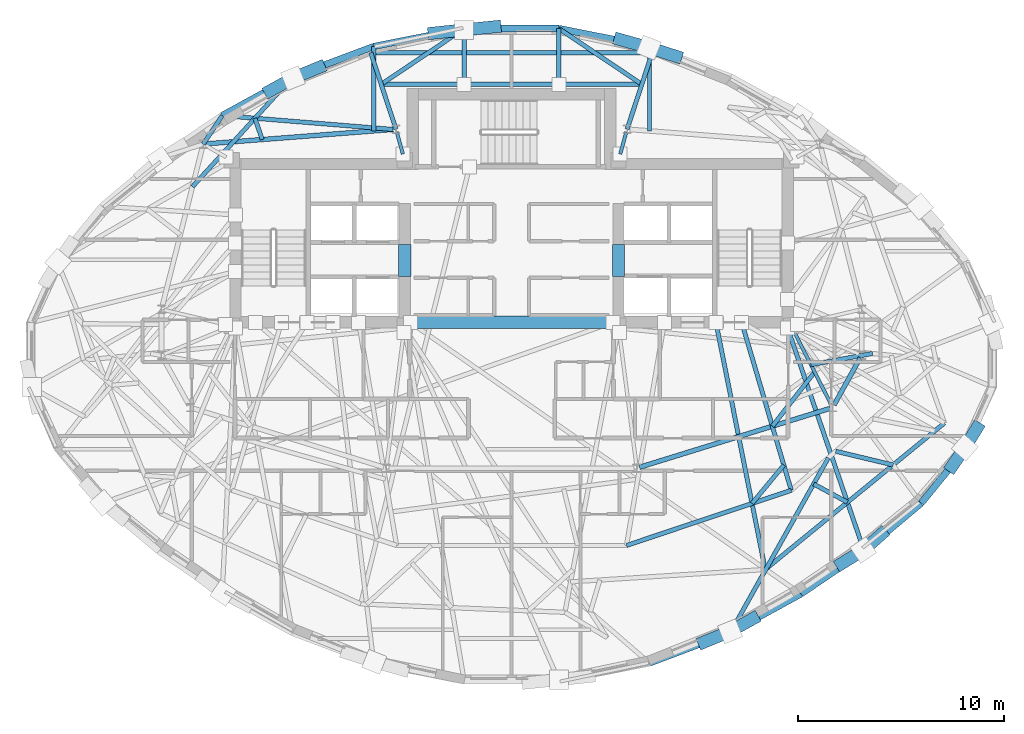
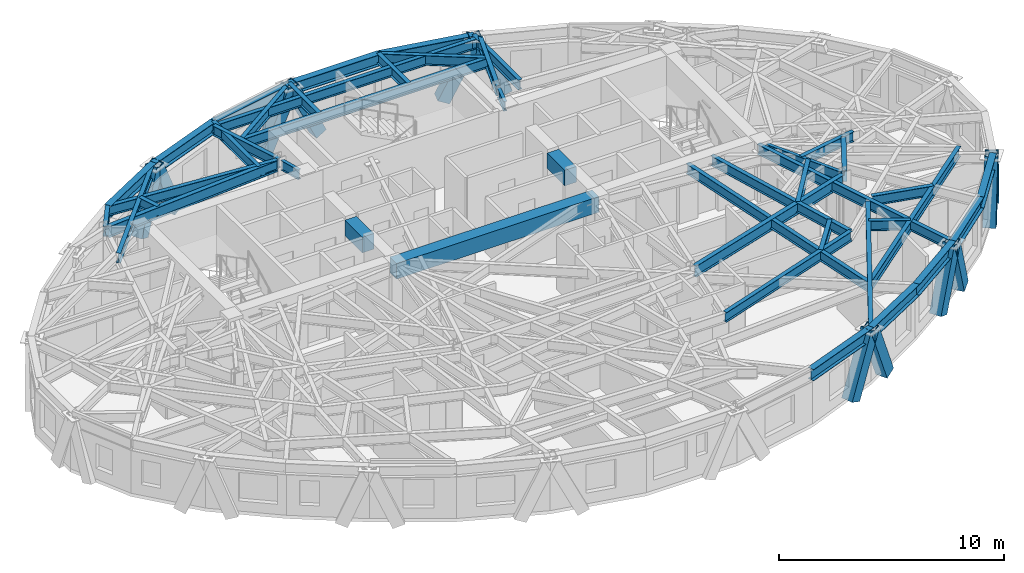
# One storey, part 3 of 14: 44 beams, 12 members.
"""IFC4 building model written with IfcOpenShell, lengths in metres."""

from ifc_helpers import new_model, si_unit, direction, frame, origin, origin_2d, place, context, subcontext, project, spatial, rectangle, hollow_rectangle, i_section, extrude, material, material_profile, profile_set, type_object, element, save


model = new_model("IFC4")

# Units and contexts
model_context = context("Model", 3, precision=1e-05, world=origin(), true_north=direction((0.0, 1.0)))
body_context = subcontext(model_context, "Body", "Model", "MODEL_VIEW")
ifc_project = project(units=[si_unit("LENGTHUNIT", "METRE"), si_unit("AREAUNIT", "SQUARE_METRE"), si_unit("VOLUMEUNIT", "CUBIC_METRE"), si_unit("PLANEANGLEUNIT", "RADIAN"), si_unit("MASSUNIT", "GRAM", prefix="KILO")], contexts=[model_context])

# Site, building, storey
site_placement = place(None, origin())
site = spatial("IfcSite", under=ifc_project, at=site_placement, CompositionType="ELEMENT")
building_placement = place(site_placement, origin())
building = spatial("IfcBuilding", under=site, at=building_placement, Name="Keldmark Tower", CompositionType="ELEMENT")
storey_placement = place(building_placement, frame((0.0, 0.0, 213.14990234375)))
storey = spatial("IfcBuildingStorey", under=building, at=storey_placement, Name="L59", CompositionType="ELEMENT", Elevation=213.14990234375)

# Beams
ifc_material_1 = material(Name="Concrete C50/60", Category="concrete")
ifc_material_profile_1 = material_profile(ifc_material_1, rectangle(XDim=0.60009765625, YDim=0.85009765625, at=origin_2d()), Name="RCB600X850")
ifc_profile_set_1 = profile_set([ifc_material_profile_1], Name="Concrete C50/60")
beam_type_1 = type_object("IfcBeamType", Name="Core Coupling Beam RCB600X850", PredefinedType="USERDEFINED", material=ifc_profile_set_1)
for number, where, z_axis, x_axis, name in (
    (1, (-5.199951171875, 3.800048828125, 2.545166015625), (0.0, 1.0, 0.0), (-1.0, 0.0, 0.0), "L59 West Core Coupling Beam"),
    (2, (5.199951171875, 3.800048828125, 2.545166015625), (0.0, 1.0, 0.0), (-1.0, 0.0, 0.0), "L59 East Core Coupling Beam"),
):
    element("IfcBeam", number, at=place(storey_placement, frame(where, z_axis=z_axis, x_axis=x_axis)), inside=storey, type_object=beam_type_1, Name=name, ObjectType="COUPLING BEAM", PredefinedType="USERDEFINED", context=body_context, shape_type="SweptSolid", body=[
        extrude(rectangle(XDim=0.60009765625, YDim=0.85009765625, at=origin_2d()), origin(), (0.0, 0.0, 1.0), 1.550048828125),
    ])
beam_1_placement = place(storey_placement, frame((-5.199951171875, 1.574951171875, 2.545166015625), z_axis=(1.0, 0.0, 0.0), x_axis=(0.0, 1.0, 0.0)))
element("IfcBeam", 3, at=beam_1_placement, inside=storey, type_object=beam_type_1, Name="L59 Central South Core Coupling Beam", ObjectType="COUPLING BEAM", PredefinedType="USERDEFINED", context=body_context, shape_type="SweptSolid", body=[
    extrude(rectangle(XDim=0.60009765625, YDim=0.85009765625, at=origin_2d()), origin(), (0.0, 0.0, 1.0), 10.39990234375),
])

# Members
ifc_material_2 = material(Name="Steel ASTM A572 Grade 50", Category="steel")
ifc_material_profile_2 = material_profile(ifc_material_2, hollow_rectangle(XDim=0.60009765625, YDim=0.60009765625, WallThickness=0.034912109375, at=origin_2d()), Name="BOX600X600X35")
ifc_profile_set_2 = profile_set([ifc_material_profile_2], Name="Steel ASTM A572 Grade 50")
member_type = type_object("IfcMemberType", Name="Diagrid Zone 4 Brace BOX600X600X35", PredefinedType="BRACE", material=ifc_profile_set_2)
member_1_placement = place(storey_placement, frame((8.02001953125, 14.50732421875, -0.260009765625), z_axis=(-0.393530898257, 0.125815509706, 0.910661237582), x_axis=(-0.304524591203, -0.95250447419, 0.0)))
element("IfcMember", 4, at=member_1_placement, inside=storey, type_object=member_type, Name="L59 Perimeter Diagrid Brace 03B", PredefinedType="BRACE", context=body_context, shape_type="SweptSolid", body=[
    extrude(hollow_rectangle(XDim=0.60009765625, YDim=0.60009765625, WallThickness=0.034912109375, at=origin_2d()), origin(), (0.0, 0.0, 1.0), 3.415283203125),
])
member_2_placement = place(storey_placement, frame((5.25390625, 15.3330078125, -0.260009765625), z_axis=(0.4156658621, -0.116131518542, 0.902072813849), x_axis=(0.269082155507, 0.963117227334, 0.0)))
element("IfcMember", 5, at=member_2_placement, inside=storey, type_object=member_type, Name="L59 Perimeter Diagrid Brace 04A", PredefinedType="BRACE", context=body_context, shape_type="SweptSolid", body=[
    extrude(hollow_rectangle(XDim=0.60009765625, YDim=0.60009765625, WallThickness=0.034912109375, at=origin_2d()), origin(), (0.0, 0.0, 1.0), 3.44775390625),
])
member_3_placement = place(storey_placement, frame((-0.781005859375, 15.952880859375, -0.260009765625), z_axis=(-0.440546308577, -0.044061669463, 0.896647934968), x_axis=(0.099519459283, -0.995035616058, 0.0)))
element("IfcMember", 6, at=member_3_placement, inside=storey, type_object=member_type, Name="L59 Perimeter Diagrid Brace 04B", PredefinedType="BRACE", context=body_context, shape_type="SweptSolid", body=[
    extrude(hollow_rectangle(XDim=0.60009765625, YDim=0.60009765625, WallThickness=0.034912109375, at=origin_2d()), origin(), (0.0, 0.0, 1.0), 3.468505859375),
])
member_4_placement = place(storey_placement, frame((-3.79248046875, 15.641845703125, -0.260009765625), z_axis=(0.43286743353, 0.045795607662, 0.900293589508), x_axis=(-0.105208767654, 0.994450157227, 0.0)))
element("IfcMember", 7, at=member_4_placement, inside=storey, type_object=member_type, Name="L59 Perimeter Diagrid Brace 05A", PredefinedType="BRACE", context=body_context, shape_type="SweptSolid", body=[
    extrude(hollow_rectangle(XDim=0.60009765625, YDim=0.60009765625, WallThickness=0.034912109375, at=origin_2d()), origin(), (0.0, 0.0, 1.0), 3.45458984375),
])
member_5_placement = place(storey_placement, frame((-9.335205078125, 13.98388671875, -0.260009765625), z_axis=(-0.379284461719, -0.156281234415, 0.911986553008), x_axis=(0.380969230794, -0.92458771633, 0.0)))
element("IfcMember", 8, at=member_5_placement, inside=storey, type_object=member_type, Name="L59 Perimeter Diagrid Brace 05B", PredefinedType="BRACE", context=body_context, shape_type="SweptSolid", body=[
    extrude(hollow_rectangle(XDim=0.60009765625, YDim=0.60009765625, WallThickness=0.034912109375, at=origin_2d()), origin(), (0.0, 0.0, 1.0), 3.41015625),
])
member_6_placement = place(storey_placement, frame((-11.753173828125, 12.827392578125, -0.260009765625), z_axis=(0.336945616643, 0.186403154509, 0.922887596305), x_axis=(-0.484076709951, 0.875025564703, 0.0)))
element("IfcMember", 9, at=member_6_placement, inside=storey, type_object=member_type, Name="L59 Perimeter Diagrid Brace 06A", PredefinedType="BRACE", context=body_context, shape_type="SweptSolid", body=[
    extrude(hollow_rectangle(XDim=0.60009765625, YDim=0.60009765625, WallThickness=0.034912109375, at=origin_2d()), origin(), (0.0, 0.0, 1.0), 3.369873046875),
])
member_7_placement = place(storey_placement, frame((9.335205078125, -13.98388671875, -0.260009765625), z_axis=(0.379284461719, 0.156281234415, 0.911986553008), x_axis=(-0.380969230794, 0.92458771633, 0.0)))
element("IfcMember", 10, at=member_7_placement, inside=storey, type_object=member_type, Name="L59 Perimeter Diagrid Brace 13B", PredefinedType="BRACE", context=body_context, shape_type="SweptSolid", body=[
    extrude(hollow_rectangle(XDim=0.60009765625, YDim=0.60009765625, WallThickness=0.034912109375, at=origin_2d()), origin(), (0.0, 0.0, 1.0), 3.41015625),
])
member_8_placement = place(storey_placement, frame((11.753173828125, -12.827392578125, -0.260009765625), z_axis=(-0.336945616643, -0.186403154509, 0.922887596305), x_axis=(0.484076709951, -0.875025564703, 0.0)))
element("IfcMember", 11, at=member_8_placement, inside=storey, type_object=member_type, Name="L59 Perimeter Diagrid Brace 14A", PredefinedType="BRACE", context=body_context, shape_type="SweptSolid", body=[
    extrude(hollow_rectangle(XDim=0.60009765625, YDim=0.60009765625, WallThickness=0.034912109375, at=origin_2d()), origin(), (0.0, 0.0, 1.0), 3.369873046875),
])
member_9_placement = place(storey_placement, frame((16.036376953125, -10.162841796875, -0.260009765625), z_axis=(0.319678320867, 0.198062358981, 0.926594341189), x_axis=(-0.526674190913, 0.850067230651, 0.0)))
element("IfcMember", 12, at=member_9_placement, inside=storey, type_object=member_type, Name="L59 Perimeter Diagrid Brace 14B", PredefinedType="BRACE", context=body_context, shape_type="SweptSolid", body=[
    extrude(hollow_rectangle(XDim=0.60009765625, YDim=0.60009765625, WallThickness=0.034912109375, at=origin_2d()), origin(), (0.0, 0.0, 1.0), 3.3564453125),
])
member_10_placement = place(storey_placement, frame((17.9970703125, -8.71533203125, -0.260009765625), z_axis=(-0.268917788638, -0.23740970986, 0.933445152442), x_axis=(0.66182429005, -0.749658995211, 0.0)))
element("IfcMember", 13, at=member_10_placement, inside=storey, type_object=member_type, Name="L59 Perimeter Diagrid Brace 15A", PredefinedType="BRACE", context=body_context, shape_type="SweptSolid", body=[
    extrude(hollow_rectangle(XDim=0.60009765625, YDim=0.60009765625, WallThickness=0.034912109375, at=origin_2d()), origin(), (0.0, 0.0, 1.0), 3.331787109375),
])
member_11_placement = place(storey_placement, frame((21.414794921875, -5.430419921875, -0.260009765625), z_axis=(0.19192067154, 0.276052306444, 0.941786377021), x_axis=(-0.821066514519, 0.570832531251, 0.0)))
element("IfcMember", 14, at=member_11_placement, inside=storey, type_object=member_type, Name="L59 Perimeter Diagrid Brace 15B", PredefinedType="BRACE", context=body_context, shape_type="SweptSolid", body=[
    extrude(hollow_rectangle(XDim=0.60009765625, YDim=0.60009765625, WallThickness=0.034912109375, at=origin_2d()), origin(), (0.0, 0.0, 1.0), 3.30224609375),
])
member_12_placement = place(storey_placement, frame((22.634033203125, -3.557861328125, -0.260009765625), z_axis=(-0.178125596536, -0.293509105881, 0.939214393322), x_axis=(0.854886164817, -0.518815617734, 0.0)))
element("IfcMember", 15, at=member_12_placement, inside=storey, type_object=member_type, Name="L59 Perimeter Diagrid Brace 16A", PredefinedType="BRACE", context=body_context, shape_type="SweptSolid", body=[
    extrude(hollow_rectangle(XDim=0.60009765625, YDim=0.60009765625, WallThickness=0.034912109375, at=origin_2d()), origin(), (0.0, 0.0, 1.0), 3.311279296875),
])

# Beams
ifc_material_3 = material(Name="Steel ASTM A992 Grade 50", Category="steel")
ifc_material_profile_3 = material_profile(ifc_material_3, i_section(OverallWidth=0.22802734375, OverallDepth=0.60302734375, WebThickness=0.010498046875, FlangeThickness=0.014892578125, at=origin_2d()), Name="W24X68")
ifc_profile_set_3 = profile_set([ifc_material_profile_3], Name="Steel ASTM A992 Grade 50")
beam_type_2 = type_object("IfcBeamType", Name="Primary Floor Girder W24X68", PredefinedType="BEAM", material=ifc_profile_set_3)
beam_2_placement = place(storey_placement, frame((-5.75830078125, 10.956298828125, 2.668701171875), z_axis=(-0.997037147832, -0.076921556421, 0.0), x_axis=(0.076921556421, -0.997037147832, 0.0)))
element("IfcBeam", 16, at=beam_2_placement, inside=storey, type_object=beam_type_2, Name="L59 Floor Ring Girder FG-R04", PredefinedType="BEAM", context=body_context, shape_type="SweptSolid", body=[
    extrude(i_section(OverallWidth=0.22802734375, OverallDepth=0.60302734375, WebThickness=0.010498046875, FlangeThickness=0.014892578125, at=origin_2d()), origin(), (0.0, 0.0, 1.0), 9.125),
])
beam_3_placement = place(storey_placement, frame((6.223388671875, -5.471435546875, 2.668701171875), z_axis=(0.955383255089, 0.295368982622, 0.0), x_axis=(-0.295368982622, 0.955383255089, 0.0)))
element("IfcBeam", 17, at=beam_3_placement, inside=storey, type_object=beam_type_2, Name="L59 Floor Ring Girder FG-R10", PredefinedType="BEAM", context=body_context, shape_type="SweptSolid", body=[
    extrude(i_section(OverallWidth=0.22802734375, OverallDepth=0.60302734375, WebThickness=0.010498046875, FlangeThickness=0.014892578125, at=origin_2d()), origin(), (0.0, 0.0, 1.0), 9.69140625),
])
beam_4_placement = place(storey_placement, frame((15.68408203125, -2.44482421875, 2.668701171875), z_axis=(0.484719680408, 0.874669555561, 0.0), x_axis=(-0.874669555561, 0.484719680408, 0.0)))
element("IfcBeam", 18, at=beam_4_placement, inside=storey, type_object=beam_type_2, Name="L59 Floor Ring Girder FG-R11", PredefinedType="BEAM", context=body_context, shape_type="SweptSolid", body=[
    extrude(i_section(OverallWidth=0.22802734375, OverallDepth=0.60302734375, WebThickness=0.010498046875, FlangeThickness=0.014892578125, at=origin_2d()), origin(), (0.0, 0.0, 1.0), 2.627685546875),
])
ifc_material_4 = material(Name="Steel ASTM A992 Grade 50", Category="steel")
ifc_material_profile_4 = material_profile(ifc_material_4, i_section(OverallWidth=0.166015625, OverallDepth=0.529052734375, WebThickness=0.009765625, FlangeThickness=0.013671875, at=origin_2d()), Name="W21X50")
ifc_profile_set_4 = profile_set([ifc_material_profile_4], Name="Steel ASTM A992 Grade 50")
beam_type_3 = type_object("IfcBeamType", Name="Radial Tie Girder W21X50", PredefinedType="BEAM", material=ifc_profile_set_4)
for number, where, z_axis, x_axis, name in (
    (19, (5.581298828125, 10.83203125, 2.70556640625), (-0.265936023434, -0.963990680163, 0.0), (0.963990680163, -0.265936023434, 0.0), "L59 Floor Radial Girder FG-C03"),
    (20, (-5.581298828125, 10.83203125, 2.70556640625), (0.265936023434, -0.963990680163, 0.0), (0.963990680163, 0.265936023434, 0.0), "L59 Floor Radial Girder FG-C04"),
):
    element("IfcBeam", number, at=place(storey_placement, frame(where, z_axis=z_axis, x_axis=x_axis)), inside=storey, type_object=beam_type_3, Name=name, PredefinedType="BEAM", context=body_context, shape_type="SweptSolid", body=[
        extrude(i_section(OverallWidth=0.166015625, OverallDepth=0.529052734375, WebThickness=0.009765625, FlangeThickness=0.013671875, at=origin_2d()), origin(), (0.0, 0.0, 1.0), 1.113525390625),
    ])
beam_5_placement = place(storey_placement, frame((15.552734375, -2.442626953125, 2.70556640625), z_axis=(-0.453004410574, 0.89150827478, 0.0), x_axis=(-0.89150827478, -0.453004410574, 0.0)))
element("IfcBeam", 21, at=beam_5_placement, inside=storey, type_object=beam_type_3, Name="L59 Floor Radial Girder FG-C11", PredefinedType="BEAM", context=body_context, shape_type="SweptSolid", body=[
    extrude(i_section(OverallWidth=0.166015625, OverallDepth=0.529052734375, WebThickness=0.009765625, FlangeThickness=0.013671875, at=origin_2d()), origin(), (0.0, 0.0, 1.0), 3.990234375),
])
ifc_material_5 = material(Name="Steel ASTM A992 Grade 50", Category="steel")
ifc_material_profile_5 = material_profile(ifc_material_5, i_section(OverallWidth=0.2099609375, OverallDepth=0.537109375, WebThickness=0.010986328125, FlangeThickness=0.017333984375, at=origin_2d()), Name="W21X68")
ifc_profile_set_5 = profile_set([ifc_material_profile_5], Name="Steel ASTM A992 Grade 50")
beam_type_4 = type_object("IfcBeamType", Name="Radial Tie Girder W21X68", PredefinedType="BEAM", material=ifc_profile_set_5)
beam_6_placement = place(storey_placement, frame((14.7392578125, -0.841796875, 2.70166015625), z_axis=(-0.615598661566, -0.788059825063, 0.0), x_axis=(0.788059825063, -0.615598661566, 0.0)))
element("IfcBeam", 22, at=beam_6_placement, inside=storey, type_object=beam_type_4, Name="L59 Framing Pin Header PH-005", PredefinedType="BEAM", context=body_context, shape_type="SweptSolid", body=[
    extrude(i_section(OverallWidth=0.2099609375, OverallDepth=0.537109375, WebThickness=0.010986328125, FlangeThickness=0.017333984375, at=origin_2d()), origin(), (0.0, 0.0, 1.0), 3.3408203125),
])
beam_7_placement = place(storey_placement, frame((11.19287109375, 1.574951171875, 2.70166015625), z_axis=(0.282943960261, -0.959136442511, 0.0), x_axis=(0.959136442511, 0.282943960261, 0.0)))
element("IfcBeam", 23, at=beam_7_placement, inside=storey, type_object=beam_type_4, Name="L59 Sub-Ring Step Girder STP1-M11", PredefinedType="BEAM", context=body_context, shape_type="SweptSolid", body=[
    extrude(i_section(OverallWidth=0.2099609375, OverallDepth=0.537109375, WebThickness=0.010986328125, FlangeThickness=0.017333984375, at=origin_2d()), origin(), (0.0, 0.0, 1.0), 8.5146484375),
])
beam_8_placement = place(storey_placement, frame((14.55859375, -0.486083984375, 2.70166015625), z_axis=(0.983785097233, 0.1793512823, 0.0), x_axis=(-0.1793512823, 0.983785097233, 0.0)))
element("IfcBeam", 24, at=beam_8_placement, inside=storey, type_object=beam_type_4, Name="L59 Framing Pin Header PH-006", PredefinedType="BEAM", context=body_context, shape_type="SweptSolid", body=[
    extrude(i_section(OverallWidth=0.2099609375, OverallDepth=0.537109375, WebThickness=0.010986328125, FlangeThickness=0.017333984375, at=origin_2d()), origin(), (0.0, 0.0, 1.0), 3.043701171875),
])
beam_9_placement = place(storey_placement, frame((5.590087890625, -9.2744140625, 2.70166015625), z_axis=(0.948257681045, 0.317501764309, 0.0), x_axis=(-0.317501764309, 0.948257681045, 0.0)))
element("IfcBeam", 25, at=beam_9_placement, inside=storey, type_object=beam_type_4, Name="L59 Perimeter Collector Ring Beam CRG1-M10", PredefinedType="BEAM", context=body_context, shape_type="SweptSolid", body=[
    extrude(i_section(OverallWidth=0.2099609375, OverallDepth=0.537109375, WebThickness=0.010986328125, FlangeThickness=0.017333984375, at=origin_2d()), origin(), (0.0, 0.0, 1.0), 8.44921875),
])
beam_10_placement = place(storey_placement, frame((13.24072265625, -5.366943359375, 2.70166015625), z_axis=(-0.638536901279, -0.769591206878, 0.0), x_axis=(0.769591206878, -0.638536901279, 0.0)))
element("IfcBeam", 26, at=beam_10_placement, inside=storey, type_object=beam_type_4, Name="L59 Framing Pin Header PH-011", PredefinedType="BEAM", context=body_context, shape_type="SweptSolid", body=[
    extrude(i_section(OverallWidth=0.2099609375, OverallDepth=0.537109375, WebThickness=0.010986328125, FlangeThickness=0.017333984375, at=origin_2d()), origin(), (0.0, 0.0, 1.0), 2.421875),
])
beam_11_placement = place(storey_placement, frame((9.939208984375, 1.574951171875, 2.70166015625), z_axis=(0.195472466282, -0.980709189783, 0.0), x_axis=(0.980709189783, 0.195472466282, 0.0)))
element("IfcBeam", 27, at=beam_11_placement, inside=storey, type_object=beam_type_4, Name="L59 Sub-Ring Step Girder STP2-M11", PredefinedType="BEAM", context=body_context, shape_type="SweptSolid", body=[
    extrude(i_section(OverallWidth=0.2099609375, OverallDepth=0.537109375, WebThickness=0.010986328125, FlangeThickness=0.017333984375, at=origin_2d()), origin(), (0.0, 0.0, 1.0), 12.2548828125),
])
beam_12_placement = place(storey_placement, frame((12.334716796875, -10.443603515625, 2.70166015625), z_axis=(0.774275110034, 0.632849155788, 0.0), x_axis=(-0.632849155788, 0.774275110034, 0.0)))
element("IfcBeam", 28, at=beam_12_placement, inside=storey, type_object=beam_type_4, Name="L59 Perimeter Collector Ring Beam CRG2-M11", PredefinedType="BEAM", context=body_context, shape_type="SweptSolid", body=[
    extrude(i_section(OverallWidth=0.2099609375, OverallDepth=0.537109375, WebThickness=0.010986328125, FlangeThickness=0.017333984375, at=origin_2d()), origin(), (0.0, 0.0, 1.0), 11.257080078125),
])
beam_13_placement = place(storey_placement, frame((-14.995849609375, 10.24365234375, 2.70166015625), z_axis=(0.554361891087, 0.83227573178, 0.0), x_axis=(-0.83227573178, 0.554361891087, 0.0)))
element("IfcBeam", 29, at=beam_13_placement, inside=storey, type_object=beam_type_4, Name="L59 Perimeter Column Bracket RT-12", PredefinedType="BEAM", context=body_context, shape_type="SweptSolid", body=[
    extrude(i_section(OverallWidth=0.2099609375, OverallDepth=0.537109375, WebThickness=0.010986328125, FlangeThickness=0.017333984375, at=origin_2d()), origin(), (0.0, 0.0, 1.0), 1.66552734375),
])
beam_14_placement = place(storey_placement, frame((15.40576171875, -5.010986328125, 2.70166015625), z_axis=(-0.488702594936, -0.872450441975, 0.0), x_axis=(0.872450441975, -0.488702594936, 0.0)))
element("IfcBeam", 30, at=beam_14_placement, inside=storey, type_object=beam_type_4, Name="L59 Perimeter Radial Tie Girder RT-27", PredefinedType="BEAM", context=body_context, shape_type="SweptSolid", body=[
    extrude(i_section(OverallWidth=0.2099609375, OverallDepth=0.537109375, WebThickness=0.010986328125, FlangeThickness=0.017333984375, at=origin_2d()), origin(), (0.0, 0.0, 1.0), 9.739501953125),
])
beam_15_placement = place(storey_placement, frame((14.691650390625, -6.285400390625, 2.70166015625), z_axis=(0.879390035838, -0.476102052998, 0.0), x_axis=(0.476102052998, 0.879390035838, 0.0)))
element("IfcBeam", 31, at=beam_15_placement, inside=storey, type_object=beam_type_4, Name="L59 Framing Pin Header PH-030", PredefinedType="BEAM", context=body_context, shape_type="SweptSolid", body=[
    extrude(i_section(OverallWidth=0.2099609375, OverallDepth=0.537109375, WebThickness=0.010986328125, FlangeThickness=0.017333984375, at=origin_2d()), origin(), (0.0, 0.0, 1.0), 1.86767578125),
])
beam_16_placement = place(storey_placement, frame((13.425048828125, 1.300048828125, 2.70166015625), z_axis=(0.324660191811, -0.945830724735, 0.0), x_axis=(0.945830724735, 0.324660191811, 0.0)))
element("IfcBeam", 32, at=beam_16_placement, inside=storey, type_object=beam_type_4, Name="L59 Perimeter Radial Tie Girder RT-29", PredefinedType="BEAM", context=body_context, shape_type="SweptSolid", body=[
    extrude(i_section(OverallWidth=0.2099609375, OverallDepth=0.537109375, WebThickness=0.010986328125, FlangeThickness=0.017333984375, at=origin_2d()), origin(), (0.0, 0.0, 1.0), 11.465576171875),
])
beam_17_placement = place(storey_placement, frame((15.766357421875, -4.694580078125, 2.70166015625), z_axis=(0.972668036122, -0.232200110909, 0.0), x_axis=(0.232200110909, 0.972668036122, 0.0)))
element("IfcBeam", 33, at=beam_17_placement, inside=storey, type_object=beam_type_4, Name="L59 Framing Pin Header PH-031", PredefinedType="BEAM", context=body_context, shape_type="SweptSolid", body=[
    extrude(i_section(OverallWidth=0.2099609375, OverallDepth=0.537109375, WebThickness=0.010986328125, FlangeThickness=0.017333984375, at=origin_2d()), origin(), (0.0, 0.0, 1.0), 2.8662109375),
])
for number, where, z_axis, x_axis, name in (
    (34, (-5.61865234375, 10.967041015625, 2.70166015625), (-0.312712949377, 0.949847677942, 0.0), (-0.949847677942, -0.312712949377, 0.0), "L59 North Column Cantilever Girder West FG-TCN-W"),
    (35, (5.61865234375, 10.967041015625, 2.70166015625), (0.312712949377, 0.949847677942, 0.0), (-0.949847677942, 0.312712949377, 0.0), "L59 North Column Cantilever Girder East FG-TCN-E"),
):
    element("IfcBeam", number, at=place(storey_placement, frame(where, z_axis=z_axis, x_axis=x_axis)), inside=storey, type_object=beam_type_4, Name=name, PredefinedType="BEAM", context=body_context, shape_type="SweptSolid", body=[
        extrude(i_section(OverallWidth=0.2099609375, OverallDepth=0.537109375, WebThickness=0.010986328125, FlangeThickness=0.017333984375, at=origin_2d()), origin(), (0.0, 0.0, 1.0), 3.919921875),
    ])
beam_18_placement = place(storey_placement, frame((-6.844482421875, 14.6904296875, 2.70166015625), z_axis=(1.0, 0.0, 0.0), x_axis=(0.0, 1.0, 0.0)))
element("IfcBeam", 36, at=beam_18_placement, inside=storey, type_object=beam_type_4, Name="L59 North Outer Header Girder FG-TCN-H1", PredefinedType="BEAM", context=body_context, shape_type="SweptSolid", body=[
    extrude(i_section(OverallWidth=0.2099609375, OverallDepth=0.537109375, WebThickness=0.010986328125, FlangeThickness=0.017333984375, at=origin_2d()), origin(), (0.0, 0.0, 1.0), 13.68896484375),
])
beam_19_placement = place(storey_placement, frame((-6.337158203125, 13.14990234375, 2.70166015625), z_axis=(1.0, 0.0, 0.0), x_axis=(0.0, 1.0, 0.0)))
element("IfcBeam", 37, at=beam_19_placement, inside=storey, type_object=beam_type_4, Name="L59 North Inner Header Girder FG-TCN-H0", PredefinedType="BEAM", context=body_context, shape_type="SweptSolid", body=[
    extrude(i_section(OverallWidth=0.2099609375, OverallDepth=0.537109375, WebThickness=0.010986328125, FlangeThickness=0.017333984375, at=origin_2d()), origin(), (0.0, 0.0, 1.0), 12.67431640625),
])
for number, where, z_axis, x_axis, name in (
    (38, (2.302978515625, 13.14990234375, 2.70166015625), (0.0, 1.0, 0.0), (-1.0, 0.0, 0.0), "L59 North Continuous Radial Girder RT-08N"),
    (39, (-2.302978515625, 13.14990234375, 2.70166015625), (0.0, 1.0, 0.0), (-1.0, 0.0, 0.0), "L59 North Continuous Radial Girder RT-09N"),
):
    element("IfcBeam", number, at=place(storey_placement, frame(where, z_axis=z_axis, x_axis=x_axis)), inside=storey, type_object=beam_type_4, Name=name, PredefinedType="BEAM", context=body_context, shape_type="SweptSolid", body=[
        extrude(i_section(OverallWidth=0.2099609375, OverallDepth=0.537109375, WebThickness=0.010986328125, FlangeThickness=0.017333984375, at=origin_2d()), origin(), (0.0, 0.0, 1.0), 2.709716796875),
    ])
beam_20_placement = place(storey_placement, frame((6.337158203125, 13.14990234375, 2.70166015625), z_axis=(-0.830120812492, 0.557583569223, 0.0), x_axis=(-0.557583569223, -0.830120812492, 0.0)))
element("IfcBeam", 40, at=beam_20_placement, inside=storey, type_object=beam_type_4, Name="L59 Straddling Support Chord RT-07RB", PredefinedType="BEAM", context=body_context, shape_type="SweptSolid", body=[
    extrude(i_section(OverallWidth=0.2099609375, OverallDepth=0.537109375, WebThickness=0.010986328125, FlangeThickness=0.017333984375, at=origin_2d()), origin(), (0.0, 0.0, 1.0), 4.85986328125),
])
beam_21_placement = place(storey_placement, frame((6.704345703125, 10.88330078125, 2.70166015625), z_axis=(0.0, 1.0, 0.0), x_axis=(-1.0, 0.0, 0.0)))
element("IfcBeam", 41, at=beam_21_placement, inside=storey, type_object=beam_type_4, Name="L59 Perimeter Radial Tie Girder RT-07R", PredefinedType="BEAM", context=body_context, shape_type="SweptSolid", body=[
    extrude(i_section(OverallWidth=0.2099609375, OverallDepth=0.537109375, WebThickness=0.010986328125, FlangeThickness=0.017333984375, at=origin_2d()), origin(), (0.0, 0.0, 1.0), 4.106689453125),
])
beam_22_placement = place(storey_placement, frame((-2.302978515625, 15.859619140625, 2.70166015625), z_axis=(-0.830120812492, -0.557583569223, 0.0), x_axis=(0.557583569223, -0.830120812492, 0.0)))
element("IfcBeam", 42, at=beam_22_placement, inside=storey, type_object=beam_type_4, Name="L59 Straddling Support Chord RT-10RB", PredefinedType="BEAM", context=body_context, shape_type="SweptSolid", body=[
    extrude(i_section(OverallWidth=0.2099609375, OverallDepth=0.537109375, WebThickness=0.010986328125, FlangeThickness=0.017333984375, at=origin_2d()), origin(), (0.0, 0.0, 1.0), 4.85986328125),
])
beam_23_placement = place(storey_placement, frame((-6.704345703125, 10.88330078125, 2.70166015625), z_axis=(0.0, 1.0, 0.0), x_axis=(-1.0, 0.0, 0.0)))
element("IfcBeam", 43, at=beam_23_placement, inside=storey, type_object=beam_type_4, Name="L59 Perimeter Radial Tie Girder RT-10R", PredefinedType="BEAM", context=body_context, shape_type="SweptSolid", body=[
    extrude(i_section(OverallWidth=0.2099609375, OverallDepth=0.537109375, WebThickness=0.010986328125, FlangeThickness=0.017333984375, at=origin_2d()), origin(), (0.0, 0.0, 1.0), 4.106689453125),
])
beam_24_placement = place(storey_placement, frame((-5.75830078125, 10.956298828125, 2.70166015625), z_axis=(-0.996734271009, 0.080751427212, 0.0), x_axis=(-0.080751427212, -0.996734271009, 0.0)))
element("IfcBeam", 44, at=beam_24_placement, inside=storey, type_object=beam_type_4, Name="L59 Straddling Support Chord RT-11RB", PredefinedType="BEAM", context=body_context, shape_type="SweptSolid", body=[
    extrude(i_section(OverallWidth=0.2099609375, OverallDepth=0.537109375, WebThickness=0.010986328125, FlangeThickness=0.017333984375, at=origin_2d()), origin(), (0.0, 0.0, 1.0), 8.341552734375),
])
beam_25_placement = place(storey_placement, frame((-12.126708984375, 10.465087890625, 2.70166015625), z_axis=(-0.321246295029, 0.946995679995, 0.0), x_axis=(-0.946995679995, -0.321246295029, 0.0)))
element("IfcBeam", 45, at=beam_25_placement, inside=storey, type_object=beam_type_4, Name="L59 Framing Pin Header PH-034", PredefinedType="BEAM", context=body_context, shape_type="SweptSolid", body=[
    extrude(i_section(OverallWidth=0.2099609375, OverallDepth=0.537109375, WebThickness=0.010986328125, FlangeThickness=0.017333984375, at=origin_2d()), origin(), (0.0, 0.0, 1.0), 1.093505859375),
])
beam_26_placement = place(storey_placement, frame((-15.5205078125, 8.1669921875, 2.70166015625), z_axis=(0.674093225251, 0.738646277775, 0.0), x_axis=(-0.738646277775, 0.674093225251, 0.0)))
element("IfcBeam", 46, at=beam_26_placement, inside=storey, type_object=beam_type_4, Name="L59 Perimeter Radial Tie Girder RT-11R", PredefinedType="BEAM", context=body_context, shape_type="SweptSolid", body=[
    extrude(i_section(OverallWidth=0.2099609375, OverallDepth=0.537109375, WebThickness=0.010986328125, FlangeThickness=0.017333984375, at=origin_2d()), origin(), (0.0, 0.0, 1.0), 7.231201171875),
])
ifc_material_6 = material(Name="Steel ASTM A992 Grade 50", Category="steel")
ifc_material_profile_6 = material_profile(ifc_material_6, i_section(OverallWidth=0.326904296875, OverallDepth=0.6220703125, WebThickness=0.015380859375, FlangeThickness=0.0244140625, at=origin_2d()), Name="W24X131")
ifc_profile_set_6 = profile_set([ifc_material_profile_6], Name="Steel ASTM A992 Grade 50")
beam_type_5 = type_object("IfcBeamType", Name="Spandrel Ring Beam W24X131", PredefinedType="SPANDREL", material=ifc_profile_set_6)
beam_27_placement = place(storey_placement, frame((6.704345703125, 14.989990234375, 2.6591796875), z_axis=(-0.98103428966, 0.193834265574, 0.0), x_axis=(-0.193834265574, -0.98103428966, 0.0)))
element("IfcBeam", 47, at=beam_27_placement, inside=storey, type_object=beam_type_5, Name="L59 Perimeter Spandrel Ring Beam SRB-07", PredefinedType="SPANDREL", context=body_context, shape_type="SweptSolid", body=[
    extrude(i_section(OverallWidth=0.326904296875, OverallDepth=0.6220703125, WebThickness=0.015380859375, FlangeThickness=0.0244140625, at=origin_2d()), origin(), (0.0, 0.0, 1.0), 4.486572265625),
])
beam_28_placement = place(storey_placement, frame((2.302978515625, 15.859619140625, 2.6591796875), z_axis=(-1.0, 0.0, 0.0), x_axis=(0.0, -1.0, 0.0)))
element("IfcBeam", 48, at=beam_28_placement, inside=storey, type_object=beam_type_5, Name="L59 Perimeter Spandrel Ring Beam SRB-08", PredefinedType="SPANDREL", context=body_context, shape_type="SweptSolid", body=[
    extrude(i_section(OverallWidth=0.326904296875, OverallDepth=0.6220703125, WebThickness=0.015380859375, FlangeThickness=0.0244140625, at=origin_2d()), origin(), (0.0, 0.0, 1.0), 4.60595703125),
])
beam_29_placement = place(storey_placement, frame((-2.302978515625, 15.859619140625, 2.6591796875), z_axis=(-0.98103428966, -0.193834265574, 0.0), x_axis=(0.193834265574, -0.98103428966, 0.0)))
element("IfcBeam", 49, at=beam_29_placement, inside=storey, type_object=beam_type_5, Name="L59 Perimeter Spandrel Ring Beam SRB-09", PredefinedType="SPANDREL", context=body_context, shape_type="SweptSolid", body=[
    extrude(i_section(OverallWidth=0.326904296875, OverallDepth=0.6220703125, WebThickness=0.015380859375, FlangeThickness=0.0244140625, at=origin_2d()), origin(), (0.0, 0.0, 1.0), 4.486572265625),
])
beam_30_placement = place(storey_placement, frame((-6.704345703125, 14.989990234375, 2.6591796875), z_axis=(-0.936050112936, -0.351866716346, 0.0), x_axis=(0.351866716346, -0.936050112936, 0.0)))
element("IfcBeam", 50, at=beam_30_placement, inside=storey, type_object=beam_type_5, Name="L59 Perimeter Spandrel Ring Beam SRB-10", PredefinedType="SPANDREL", context=body_context, shape_type="SweptSolid", body=[
    extrude(i_section(OverallWidth=0.326904296875, OverallDepth=0.6220703125, WebThickness=0.015380859375, FlangeThickness=0.0244140625, at=origin_2d()), origin(), (0.0, 0.0, 1.0), 4.2109375),
])
beam_31_placement = place(storey_placement, frame((-10.64599609375, 13.50830078125, 2.6591796875), z_axis=(-0.87688122565, -0.480707100117, 0.0), x_axis=(0.480707100117, -0.87688122565, 0.0)))
element("IfcBeam", 51, at=beam_31_placement, inside=storey, type_object=beam_type_5, Name="L59 Perimeter Spandrel Ring Beam SRB-11", PredefinedType="SPANDREL", context=body_context, shape_type="SweptSolid", body=[
    extrude(i_section(OverallWidth=0.326904296875, OverallDepth=0.6220703125, WebThickness=0.015380859375, FlangeThickness=0.0244140625, at=origin_2d()), origin(), (0.0, 0.0, 1.0), 3.90771484375),
])
beam_32_placement = place(storey_placement, frame((6.704345703125, -14.989990234375, 2.6591796875), z_axis=(0.936050112936, 0.351866716346, 0.0), x_axis=(-0.351866716346, 0.936050112936, 0.0)))
element("IfcBeam", 52, at=beam_32_placement, inside=storey, type_object=beam_type_5, Name="L59 Perimeter Spandrel Ring Beam SRB-26", PredefinedType="SPANDREL", context=body_context, shape_type="SweptSolid", body=[
    extrude(i_section(OverallWidth=0.326904296875, OverallDepth=0.6220703125, WebThickness=0.015380859375, FlangeThickness=0.0244140625, at=origin_2d()), origin(), (0.0, 0.0, 1.0), 4.2109375),
])
beam_33_placement = place(storey_placement, frame((10.64599609375, -13.50830078125, 2.6591796875), z_axis=(0.87688122565, 0.480707100117, 0.0), x_axis=(-0.480707100117, 0.87688122565, 0.0)))
element("IfcBeam", 53, at=beam_33_placement, inside=storey, type_object=beam_type_5, Name="L59 Perimeter Spandrel Ring Beam SRB-27", PredefinedType="SPANDREL", context=body_context, shape_type="SweptSolid", body=[
    extrude(i_section(OverallWidth=0.326904296875, OverallDepth=0.6220703125, WebThickness=0.015380859375, FlangeThickness=0.0244140625, at=origin_2d()), origin(), (0.0, 0.0, 1.0), 3.90771484375),
])
beam_34_placement = place(storey_placement, frame((14.072509765625, -11.6298828125, 2.6591796875), z_axis=(0.827616407823, 0.56129411319, 0.0), x_axis=(-0.56129411319, 0.827616407823, 0.0)))
element("IfcBeam", 54, at=beam_34_placement, inside=storey, type_object=beam_type_5, Name="L59 Perimeter Spandrel Ring Beam SRB-28", PredefinedType="SPANDREL", context=body_context, shape_type="SweptSolid", body=[
    extrude(i_section(OverallWidth=0.326904296875, OverallDepth=0.6220703125, WebThickness=0.015380859375, FlangeThickness=0.0244140625, at=origin_2d()), origin(), (0.0, 0.0, 1.0), 3.71533203125),
])
beam_35_placement = place(storey_placement, frame((17.1474609375, -9.54443359375, 2.6591796875), z_axis=(0.766063904081, 0.642764416302, 0.0), x_axis=(-0.642764416302, 0.766063904081, 0.0)))
element("IfcBeam", 55, at=beam_35_placement, inside=storey, type_object=beam_type_5, Name="L59 Perimeter Spandrel Ring Beam SRB-29", PredefinedType="SPANDREL", context=body_context, shape_type="SweptSolid", body=[
    extrude(i_section(OverallWidth=0.326904296875, OverallDepth=0.6220703125, WebThickness=0.015380859375, FlangeThickness=0.0244140625, at=origin_2d()), origin(), (0.0, 0.0, 1.0), 3.615478515625),
])
beam_36_placement = place(storey_placement, frame((19.917236328125, -7.220458984375, 2.6591796875), z_axis=(0.632725461905, 0.774376194015, 0.0), x_axis=(-0.774376194015, 0.632725461905, 0.0)))
element("IfcBeam", 56, at=beam_36_placement, inside=storey, type_object=beam_type_5, Name="L59 Perimeter Spandrel Ring Beam SRB-30", PredefinedType="SPANDREL", context=body_context, shape_type="SweptSolid", body=[
    extrude(i_section(OverallWidth=0.326904296875, OverallDepth=0.6220703125, WebThickness=0.015380859375, FlangeThickness=0.0244140625, at=origin_2d()), origin(), (0.0, 0.0, 1.0), 3.4521484375),
])

save(model, "model.ifc")
